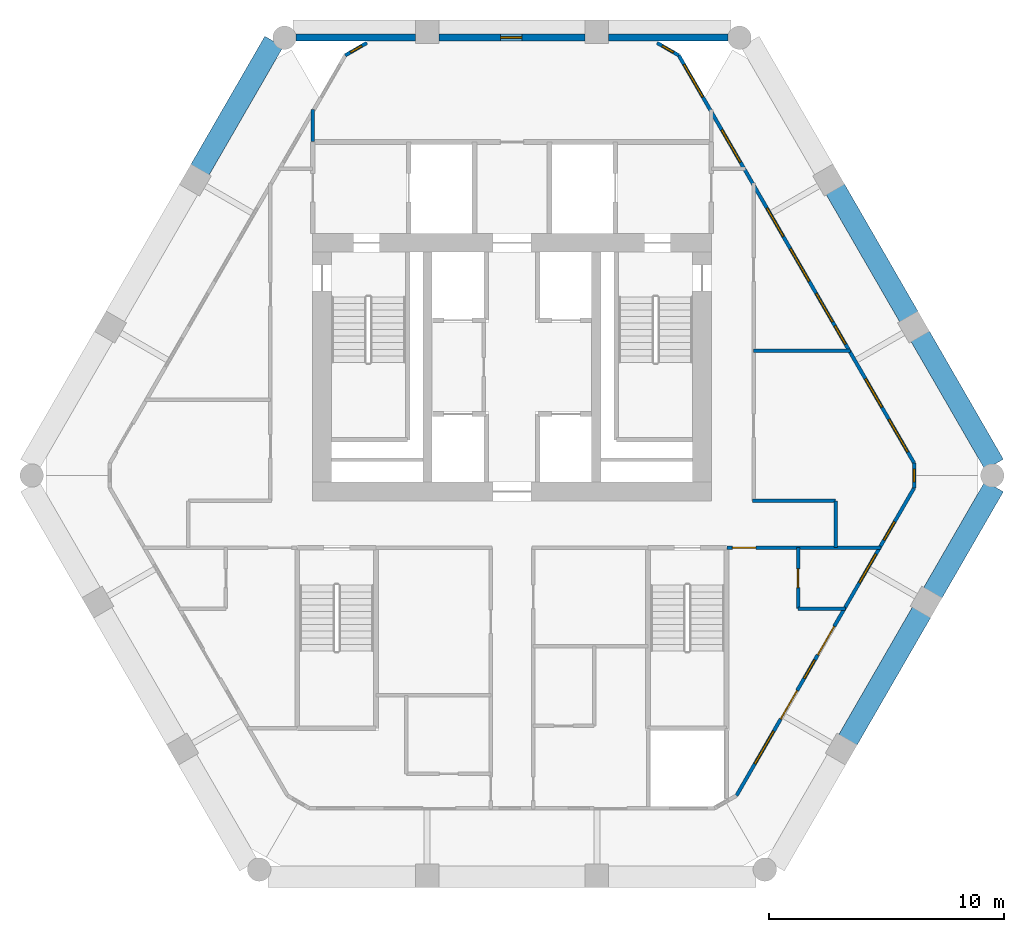
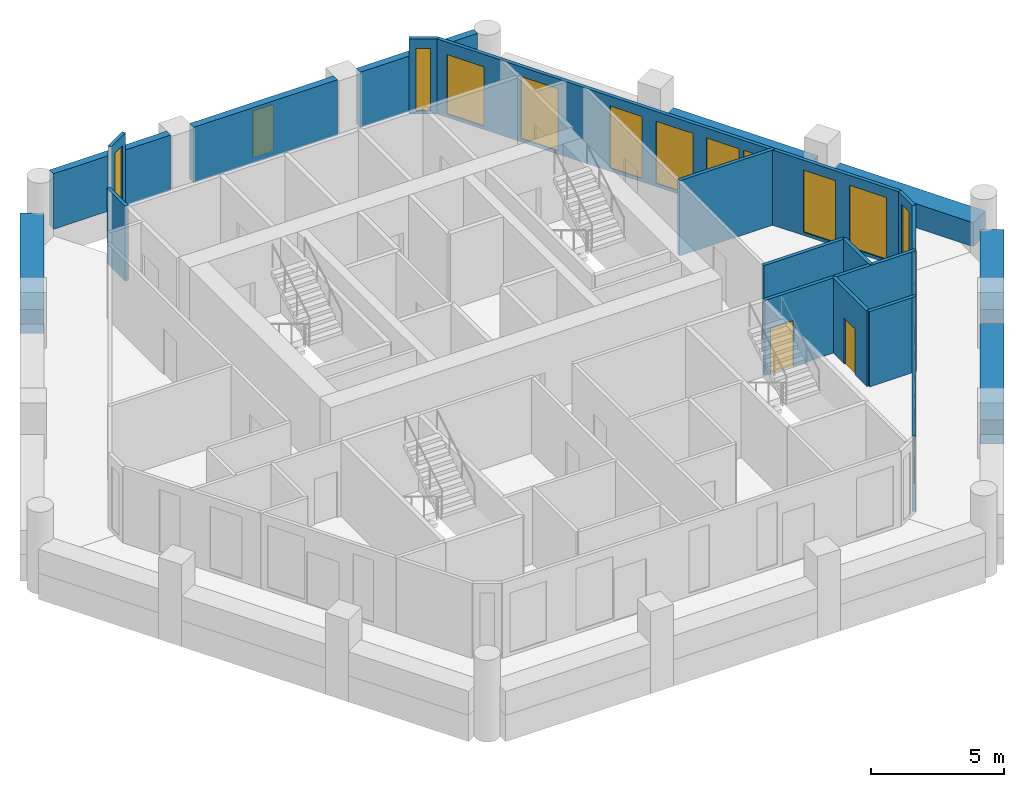
# One storey, part 5 of 7: 20 walls, 16 windows, 4 doors, 20 openings.
"""IFC4 building model written with IfcOpenShell, lengths in metres."""

import ifcopenshell
import ifcopenshell.guid

model = None  # the IFC model being written
_history = None  # IfcOwnerHistory: only IFC2X3 demands one
_inside = {}  # id of a spatial element -> (the spatial element, [elements in it])
_under = {}  # id of a project, library or spatial element -> (it, [spatial elements below it])
_declared = {}  # id of a project -> (the project, [libraries it declares])
_typed = {}  # id of a type object -> (the type object, [elements of that type])
_made_of = {}  # id of a material, layer set ... -> (it, [elements and type objects made of it])


def new_model(schema):
    """Start an empty IFC model of exactly this schema.

    Asked for "IFC4X3", IfcOpenShell would pick the latest addendum, in which some entities
    have other attributes; the version numbers below select the first issue.
    IFC2X3 requires an IfcOwnerHistory on every rooted entity: one is made here for all.
    """
    global model, _history
    if schema == "IFC4X3":
        model = ifcopenshell.file(schema_version=(4, 3, 0, 0))
    else:
        model = ifcopenshell.file(schema=schema)
    _inside.clear()
    _under.clear()
    _declared.clear()
    _typed.clear()
    _made_of.clear()
    _history = None
    if model.schema == "IFC2X3":
        org = make("IfcOrganization", Name="unknown")
        user = make(
            "IfcPersonAndOrganization",
            ThePerson=make("IfcPerson", FamilyName="unknown"),
            TheOrganization=org,
        )
        app = make(
            "IfcApplication",
            ApplicationDeveloper=org,
            Version="unknown",
            ApplicationFullName="unknown",
            ApplicationIdentifier="unknown",
        )
        _history = make(
            "IfcOwnerHistory",
            OwningUser=user,
            OwningApplication=app,
            ChangeAction="ADDED",
            CreationDate=0,
        )
    return model


def make(cls, **values):
    """One entity of the class cls with the attributes given. An attribute that is None is left unset."""
    return model.create_entity(
        cls, **{name: value for name, value in values.items() if value is not None}
    )


def rooted(cls, **values):
    """An entity with a GlobalId (a new one), such as an element, a storey or a relation."""
    return make(cls, GlobalId=ifcopenshell.guid.new(), OwnerHistory=_history, **values)


def si_unit(unit_type, name, prefix=None):
    """IfcSIUnit, for example si_unit("LENGTHUNIT", "METRE", prefix="MILLI")."""
    return make("IfcSIUnit", UnitType=unit_type, Prefix=prefix, Name=name)


def assignment(units):
    """IfcUnitAssignment: the units of a project."""
    return None if units is None else make("IfcUnitAssignment", Units=units)


def point(xyz):
    """IfcCartesianPoint."""
    return None if xyz is None else make("IfcCartesianPoint", Coordinates=xyz)


def direction(xyz):
    """IfcDirection."""
    return None if xyz is None else make("IfcDirection", DirectionRatios=xyz)


def frame(location, z_axis=None, x_axis=None):
    """IfcAxis2Placement3D, a coordinate frame: its origin and axes. An axis left out is left unset."""
    return make(
        "IfcAxis2Placement3D",
        Location=point(location),
        Axis=direction(z_axis),
        RefDirection=direction(x_axis),
    )


def frame_2d(location, x_axis=None):
    """IfcAxis2Placement2D, a coordinate frame in the plane: its origin and x axis."""
    return make(
        "IfcAxis2Placement2D", Location=point(location), RefDirection=direction(x_axis)
    )


def origin():
    """The frame at (0, 0, 0) with its axes left unset."""
    return frame((0.0, 0.0, 0.0))


def place(relative_to, where):
    """IfcLocalPlacement: puts the frame where relative to a parent placement (None: the world)."""
    return make(
        "IfcLocalPlacement", PlacementRelTo=relative_to, RelativePlacement=where
    )


def context(
    kind, dimensions, precision=None, world=None, true_north=None, identifier=None
):
    """IfcGeometricRepresentationContext, for example the 3D "Model" context."""
    return make(
        "IfcGeometricRepresentationContext",
        ContextIdentifier=identifier,
        ContextType=kind,
        CoordinateSpaceDimension=dimensions,
        Precision=precision,
        WorldCoordinateSystem=world,
        TrueNorth=true_north,
    )


def subcontext(parent, identifier, kind, view, scale=None):
    """IfcGeometricRepresentationSubContext, for example "Body" below "Model"."""
    return make(
        "IfcGeometricRepresentationSubContext",
        ContextIdentifier=identifier,
        ContextType=kind,
        ParentContext=parent,
        TargetScale=scale,
        TargetView=view,
    )


def project(units=None, contexts=None):
    """IfcProject with its units and contexts."""
    return rooted(
        "IfcProject",
        Name="project",
        RepresentationContexts=contexts,
        UnitsInContext=assignment(units),
    )


def spatial(cls, under=None, at=None, **own):
    """A site, building, storey or space (cls), placed at a placement, below another one or the project."""
    s = rooted(cls, ObjectPlacement=at, **own)
    if under is not None:
        _under.setdefault(under.id(), (under, []))[1].append(s)
    return s


def profile(cls, at=None, kind="AREA", **sizes):
    """A parametric profile (cls). Its sizes go by their IFC names, for example OverallWidth=200.0."""
    return make(cls, ProfileType=kind, Position=at, **sizes)


def rectangle(**sizes):
    """IfcRectangleProfileDef."""
    return profile("IfcRectangleProfileDef", **sizes)


def extrude(swept, where, along, depth):
    """IfcExtrudedAreaSolid: the profile swept, set in the frame where, extruded along a direction by depth."""
    return make(
        "IfcExtrudedAreaSolid",
        SweptArea=swept,
        Position=where,
        ExtrudedDirection=direction(along),
        Depth=depth,
    )


def shape(context_of_items, identifier, shape_type, items):
    """IfcShapeRepresentation: the items that make up one representation, for example the "Body"."""
    return make(
        "IfcShapeRepresentation",
        ContextOfItems=context_of_items,
        RepresentationIdentifier=identifier,
        RepresentationType=shape_type,
        Items=items,
    )


def material(Name=None, Category=None):
    """IfcMaterial."""
    return make("IfcMaterial", Name=Name, Category=Category)


def layer(
    of_material, thickness, ventilated=None, Name=None, Category=None, Priority=None
):
    """IfcMaterialLayer: one layer of a wall or slab, of a material (None: an air gap)."""
    return make(
        "IfcMaterialLayer",
        Material=of_material,
        LayerThickness=thickness,
        IsVentilated=ventilated,
        Name=Name,
        Category=Category,
        Priority=Priority,
    )


def layer_set(layers, Name=None):
    """IfcMaterialLayerSet."""
    return make("IfcMaterialLayerSet", MaterialLayers=layers, LayerSetName=Name)


def made_of(thing, what):
    """Note that an element or type object is made of a material, layer set ...; save() writes the relation."""
    if what is not None:
        _made_of.setdefault(what.id(), (what, []))[1].append(thing)
    return thing


def type_object(cls, material=None, **own):
    """A type object (cls), such as IfcWallType, which elements share."""
    return made_of(rooted(cls, **own), material)


def element(
    cls,
    number,
    at=None,
    inside=None,
    cuts=None,
    type_object=None,
    material=None,
    context=None,
    identifier="Body",
    shape_type=None,
    held_by="IfcProductDefinitionShape",
    body=None,
    shapes=None,
    **own,
):
    """One element of the class cls, such as IfcWall. Its Tag is "e" and its number.

    at: its placement. inside: the storey or other place that contains it. cuts: it is an
    opening in that element (IfcRelVoidsElement). A single representation is given by context,
    identifier, shape_type and body (its items); several are given by shapes. held_by: the class
    of the entity that holds the representations. save() writes the other relations.
    """
    e = rooted(cls, Tag="e%d" % number, ObjectPlacement=at, **own)
    if body is not None:
        shapes = [shape(context, identifier, shape_type, body)]
    if shapes is not None:
        e.Representation = make(held_by, Representations=shapes)
    if inside is not None:
        _inside.setdefault(inside.id(), (inside, []))[1].append(e)
    if cuts is not None:
        rooted(
            "IfcRelVoidsElement", RelatingBuildingElement=cuts, RelatedOpeningElement=e
        )
    if type_object is not None:
        _typed.setdefault(type_object.id(), (type_object, []))[1].append(e)
    return made_of(e, material)


def fill(opening, filler):
    """IfcRelFillsElement: the door or window that sits in an opening."""
    return rooted(
        "IfcRelFillsElement",
        RelatingOpeningElement=opening,
        RelatedBuildingElement=filler,
    )


def aggregate(whole, parts):
    """IfcRelAggregates: a whole, such as a stair, and the parts it consists of."""
    return rooted("IfcRelAggregates", RelatingObject=whole, RelatedObjects=parts)


def save(model, path):
    """Write the relations noted so far, then the file.

    IfcRelAggregates (storeys below a building ...), IfcRelContainedInSpatialStructure (elements
    in a storey), IfcRelDefinesByType, IfcRelAssociatesMaterial and IfcRelDeclares: one each for
    every whole, place, type object, material and project.
    """
    for whole, parts in _under.values():
        aggregate(whole, parts)
    for where, things in _inside.values():
        rooted(
            "IfcRelContainedInSpatialStructure",
            RelatedElements=things,
            RelatingStructure=where,
        )
    for kind, things in _typed.values():
        rooted("IfcRelDefinesByType", RelatedObjects=things, RelatingType=kind)
    for what, things in _made_of.values():
        rooted("IfcRelAssociatesMaterial", RelatedObjects=things, RelatingMaterial=what)
    for by, libraries in _declared.values():
        rooted("IfcRelDeclares", RelatingContext=by, RelatedDefinitions=libraries)
    model.write(path)


model = new_model("IFC4")

# Units and contexts
model_context = context("Model", 3, precision=1e-05, world=origin(), true_north=direction((0.0, 1.0)))
body_context = subcontext(model_context, "Body", "Model", "MODEL_VIEW")
ifc_project = project(units=[si_unit("LENGTHUNIT", "METRE"), si_unit("AREAUNIT", "SQUARE_METRE"), si_unit("VOLUMEUNIT", "CUBIC_METRE"), si_unit("PLANEANGLEUNIT", "RADIAN"), si_unit("MASSUNIT", "GRAM", prefix="KILO")], contexts=[model_context])

# Site, building, storey
site_placement = place(None, origin())
site = spatial("IfcSite", under=ifc_project, at=site_placement, CompositionType="ELEMENT")
building_placement = place(site_placement, origin())
building = spatial("IfcBuilding", under=site, at=building_placement, Name="Ostrander Bayou Hotel Tower", CompositionType="ELEMENT")
storey_placement = place(building_placement, frame((0.0, 0.0, 179.5)))
storey = spatial("IfcBuildingStorey", under=building, at=storey_placement, Name="L44", CompositionType="ELEMENT", Elevation=179.5)

# Wall, openings, doors, windows
ifc_material_1 = material(Name="Aluminium framed insulated wall", Category="aluminium")
ifc_layer_1 = layer(ifc_material_1, 0.14990234375)
ifc_layer_set_1 = layer_set([ifc_layer_1], Name="GW1 glass-line wall 150 mm")
wall_type_1 = type_object("IfcWallType", Name="GW1 glass-line wall 150 mm", PredefinedType="SOLIDWALL", material=ifc_layer_set_1)
wall_1_placement = place(storey_placement, frame((9.572021484375, -14.2705078125, 0.0), z_axis=(0.0, 0.0, 1.0), x_axis=(0.500005248668, 0.866022373443, 0.0)))
wall_1 = element("IfcWall", 1, at=wall_1_placement, inside=storey, type_object=wall_type_1, Name="GW1 L44 SE 1", PredefinedType="SOLIDWALL", context=body_context, shape_type="SweptSolid", body=[
    extrude(rectangle(XDim=15.145263671875, YDim=0.14990234375, at=frame_2d((7.57275390625, 0.0))), origin(), (0.0, 0.0, 1.0), 3.449951171875),
])
opening_1_placement = place(wall_1_placement, frame((1.57275390625, 0.0, 0.14990234375)))
opening_1 = element("IfcOpeningElement", 2, at=opening_1_placement, cuts=wall_1, Name="Opening W3", PredefinedType="OPENING", context=body_context, shape_type="SweptSolid", body=[
    extrude(rectangle(XDim=1.60009765625, YDim=2.85009765625, at=frame_2d((0.800048828125, 1.425048828125))), frame((0.0, 0.074951171875, 0.0), z_axis=(0.0, -1.0, 0.0), x_axis=(1.0, 0.0, 0.0)), (0.0, 0.0, 1.0), 0.14990234375),
])
opening_2_placement = place(wall_1_placement, frame((3.772705078125, 0.0, 0.0)))
opening_2 = element("IfcOpeningElement", 3, at=opening_2_placement, cuts=wall_1, Name="Opening T44-804", PredefinedType="OPENING", context=body_context, shape_type="SweptSolid", body=[
    extrude(rectangle(XDim=1.39990234375, YDim=2.39990234375, at=frame_2d((0.699951171875, 1.199951171875))), frame((0.0, 0.074951171875, 0.0), z_axis=(0.0, -1.0, 0.0), x_axis=(1.0, 0.0, 0.0)), (0.0, 0.0, 1.0), 0.14990234375),
])
opening_3_placement = place(wall_1_placement, frame((5.772705078125, 0.0, 0.14990234375)))
opening_3 = element("IfcOpeningElement", 4, at=opening_3_placement, cuts=wall_1, Name="Opening W17", PredefinedType="OPENING", context=body_context, shape_type="SweptSolid", body=[
    extrude(rectangle(XDim=0.89990234375, YDim=2.85009765625, at=frame_2d((0.449951171875, 1.425048828125))), frame((0.0, 0.074951171875, 0.0), z_axis=(0.0, -1.0, 0.0), x_axis=(1.0, 0.0, 0.0)), (0.0, 0.0, 1.0), 0.14990234375),
])
opening_4_placement = place(wall_1_placement, frame((6.9296875, 0.0, 0.0)))
opening_4 = element("IfcOpeningElement", 5, at=opening_4_placement, cuts=wall_1, Name="Opening T44-805", PredefinedType="OPENING", context=body_context, shape_type="SweptSolid", body=[
    extrude(rectangle(XDim=1.39990234375, YDim=2.39990234375, at=frame_2d((0.699951171875, 1.199951171875))), frame((0.0, 0.074951171875, 0.0), z_axis=(0.0, -1.0, 0.0), x_axis=(1.0, 0.0, 0.0)), (0.0, 0.0, 1.0), 0.14990234375),
])
opening_5_placement = place(wall_1_placement, frame((12.581787109375, 0.0, 0.14990234375)))
opening_5 = element("IfcOpeningElement", 6, at=opening_5_placement, cuts=wall_1, Name="Opening W17", PredefinedType="OPENING", context=body_context, shape_type="SweptSolid", body=[
    extrude(rectangle(XDim=0.89990234375, YDim=2.85009765625, at=frame_2d((0.449951171875, 1.425048828125))), frame((0.0, 0.074951171875, 0.0), z_axis=(0.0, -1.0, 0.0), x_axis=(1.0, 0.0, 0.0)), (0.0, 0.0, 1.0), 0.14990234375),
])
opening_6_placement = place(wall_1_placement, frame((10.48193359375, 0.0, 0.14990234375)))
opening_6 = element("IfcOpeningElement", 7, at=opening_6_placement, cuts=wall_1, Name="Opening W13", PredefinedType="OPENING", context=body_context, shape_type="SweptSolid", body=[
    extrude(rectangle(XDim=1.39990234375, YDim=2.85009765625, at=frame_2d((0.699951171875, 1.425048828125))), frame((0.0, 0.074951171875, 0.0), z_axis=(0.0, -1.0, 0.0), x_axis=(1.0, 0.0, 0.0)), (0.0, 0.0, 1.0), 0.14990234375),
])
ifc_material_2 = material(Name="Aluminium and clear glass", Category="aluminium")
door_type_1 = type_object("IfcDoorType", Name="SD3 sliding glass door 1400 mm, zone 3", OperationType="SLIDING_TO_LEFT", PredefinedType="DOOR", material=ifc_material_2)
door_1_placement = place(opening_2_placement, origin())
door_1 = element("IfcDoor", 8, at=door_1_placement, inside=storey, type_object=door_type_1, Name="SD3 L44 SE 1", OperationType="SLIDING_TO_LEFT", OverallHeight=2.39990234375, OverallWidth=1.39990234375, PredefinedType="DOOR", context=body_context, shape_type="SweptSolid", body=[
    extrude(rectangle(XDim=1.39990234375, YDim=2.39990234375, at=frame_2d((0.699951171875, 1.199951171875))), frame((0.0, 0.02490234375, 0.0), z_axis=(0.0, -1.0, 0.0), x_axis=(1.0, 0.0, 0.0)), (0.0, 0.0, 1.0), 0.050048828125),
])
fill(opening_2, door_1)
door_2_placement = place(opening_4_placement, origin())
door_2 = element("IfcDoor", 9, at=door_2_placement, inside=storey, type_object=door_type_1, Name="SD3 L44 SE 2", OperationType="SLIDING_TO_RIGHT", OverallHeight=2.39990234375, OverallWidth=1.39990234375, PredefinedType="DOOR", context=body_context, shape_type="SweptSolid", body=[
    extrude(rectangle(XDim=1.39990234375, YDim=2.39990234375, at=frame_2d((0.699951171875, 1.199951171875))), frame((0.0, 0.02490234375, 0.0), z_axis=(0.0, -1.0, 0.0), x_axis=(1.0, 0.0, 0.0)), (0.0, 0.0, 1.0), 0.050048828125),
])
fill(opening_4, door_2)
ifc_material_3 = material(Name="Aluminium and clear glass", Category="aluminium")
window_type_1 = type_object("IfcWindowType", Name="W13 fixed window 1400 mm, bath bay, zone 3", PartitioningType="SINGLE_PANEL", PredefinedType="WINDOW", material=ifc_material_3)
window_1_placement = place(opening_6_placement, origin())
window_1 = element("IfcWindow", 10, at=window_1_placement, inside=storey, type_object=window_type_1, Name="W13 L44 SE 3", OverallHeight=2.85009765625, OverallWidth=1.39990234375, PartitioningType="SINGLE_PANEL", PredefinedType="WINDOW", context=body_context, shape_type="SweptSolid", body=[
    extrude(rectangle(XDim=1.39990234375, YDim=2.85009765625, at=frame_2d((0.699951171875, 1.425048828125))), frame((0.0, 0.030029296875, 0.0), z_axis=(0.0, -1.0, 0.0), x_axis=(1.0, 0.0, 0.0)), (0.0, 0.0, 1.0), 0.06005859375),
])
fill(opening_6, window_1)
ifc_material_4 = material(Name="Aluminium and clear glass", Category="aluminium")
window_type_2 = type_object("IfcWindowType", Name="W17 window 900 mm, zone 3", PartitioningType="SINGLE_PANEL", PredefinedType="WINDOW", material=ifc_material_4)
window_2_placement = place(opening_3_placement, origin())
window_2 = element("IfcWindow", 11, at=window_2_placement, inside=storey, type_object=window_type_2, Name="W17 L44 SE 2", OverallHeight=2.85009765625, OverallWidth=0.89990234375, PartitioningType="SINGLE_PANEL", PredefinedType="WINDOW", context=body_context, shape_type="SweptSolid", body=[
    extrude(rectangle(XDim=0.89990234375, YDim=2.85009765625, at=frame_2d((0.449951171875, 1.425048828125))), frame((0.0, 0.030029296875, 0.0), z_axis=(0.0, -1.0, 0.0), x_axis=(1.0, 0.0, 0.0)), (0.0, 0.0, 1.0), 0.06005859375),
])
fill(opening_3, window_2)
window_3_placement = place(opening_5_placement, origin())
window_3 = element("IfcWindow", 12, at=window_3_placement, inside=storey, type_object=window_type_2, Name="W17 L44 SE 3", OverallHeight=2.85009765625, OverallWidth=0.89990234375, PartitioningType="SINGLE_PANEL", PredefinedType="WINDOW", context=body_context, shape_type="SweptSolid", body=[
    extrude(rectangle(XDim=0.89990234375, YDim=2.85009765625, at=frame_2d((0.449951171875, 1.425048828125))), frame((0.0, 0.030029296875, 0.0), z_axis=(0.0, -1.0, 0.0), x_axis=(1.0, 0.0, 0.0)), (0.0, 0.0, 1.0), 0.06005859375),
])
fill(opening_5, window_3)
ifc_material_5 = material(Name="Aluminium and clear glass", Category="aluminium")
window_type_3 = type_object("IfcWindowType", Name="W3 fixed window 1600 mm, zone 3", PartitioningType="SINGLE_PANEL", PredefinedType="WINDOW", material=ifc_material_5)
window_4_placement = place(opening_1_placement, origin())
window_4 = element("IfcWindow", 13, at=window_4_placement, inside=storey, type_object=window_type_3, Name="W3 L44 SE 1", OverallHeight=2.85009765625, OverallWidth=1.60009765625, PartitioningType="SINGLE_PANEL", PredefinedType="WINDOW", context=body_context, shape_type="SweptSolid", body=[
    extrude(rectangle(XDim=1.60009765625, YDim=2.85009765625, at=frame_2d((0.800048828125, 1.425048828125))), frame((0.0, 0.030029296875, 0.0), z_axis=(0.0, -1.0, 0.0), x_axis=(1.0, 0.0, 0.0)), (0.0, 0.0, 1.0), 0.06005859375),
])
fill(opening_1, window_4)

# Wall, openings, windows
wall_2_placement = place(storey_placement, frame((17.144775390625, -0.08935546875, 0.0), z_axis=(0.0, 0.0, 1.0), x_axis=(-0.499999728453, 0.866025560562, 0.0)))
wall_2 = element("IfcWall", 14, at=wall_2_placement, inside=storey, type_object=wall_type_1, Name="GW1 L44 NE 1", PredefinedType="SOLIDWALL", context=body_context, shape_type="SweptSolid", body=[
    extrude(rectangle(XDim=20.07080078125, YDim=0.14990234375, at=frame_2d((10.035400390625, 0.0))), origin(), (0.0, 0.0, 1.0), 3.449951171875),
])
opening_7_placement = place(wall_2_placement, frame((0.5498046875, 0.0, 0.14990234375)))
opening_7 = element("IfcOpeningElement", 15, at=opening_7_placement, cuts=wall_2, Name="Opening W3", PredefinedType="OPENING", context=body_context, shape_type="SweptSolid", body=[
    extrude(rectangle(XDim=1.60009765625, YDim=2.85009765625, at=frame_2d((0.800048828125, 1.425048828125))), frame((0.0, 0.074951171875, 0.0), z_axis=(0.0, -1.0, 0.0), x_axis=(1.0, 0.0, 0.0)), (0.0, 0.0, 1.0), 0.14990234375),
])
opening_8_placement = place(wall_2_placement, frame((2.749755859375, 0.0, 0.14990234375)))
opening_8 = element("IfcOpeningElement", 16, at=opening_8_placement, cuts=wall_2, Name="Opening W13", PredefinedType="OPENING", context=body_context, shape_type="SweptSolid", body=[
    extrude(rectangle(XDim=1.39990234375, YDim=2.85009765625, at=frame_2d((0.699951171875, 1.425048828125))), frame((0.0, 0.074951171875, 0.0), z_axis=(0.0, -1.0, 0.0), x_axis=(1.0, 0.0, 0.0)), (0.0, 0.0, 1.0), 0.14990234375),
])
opening_9_placement = place(wall_2_placement, frame((5.85400390625, 0.0, 0.14990234375)))
opening_9 = element("IfcOpeningElement", 17, at=opening_9_placement, cuts=wall_2, Name="Opening W17", PredefinedType="OPENING", context=body_context, shape_type="SweptSolid", body=[
    extrude(rectangle(XDim=0.89990234375, YDim=2.85009765625, at=frame_2d((0.449951171875, 1.425048828125))), frame((0.0, 0.074951171875, 0.0), z_axis=(0.0, -1.0, 0.0), x_axis=(1.0, 0.0, 0.0)), (0.0, 0.0, 1.0), 0.14990234375),
])
opening_10_placement = place(wall_2_placement, frame((6.94970703125, 0.0, 0.14990234375)))
opening_10 = element("IfcOpeningElement", 18, at=opening_10_placement, cuts=wall_2, Name="Opening W13", PredefinedType="OPENING", context=body_context, shape_type="SweptSolid", body=[
    extrude(rectangle(XDim=1.39990234375, YDim=2.85009765625, at=frame_2d((0.699951171875, 1.425048828125))), frame((0.0, 0.074951171875, 0.0), z_axis=(0.0, -1.0, 0.0), x_axis=(1.0, 0.0, 0.0)), (0.0, 0.0, 1.0), 0.14990234375),
])
opening_11_placement = place(wall_2_placement, frame((8.94970703125, 0.0, 0.14990234375)))
opening_11 = element("IfcOpeningElement", 19, at=opening_11_placement, cuts=wall_2, Name="Opening W3", PredefinedType="OPENING", context=body_context, shape_type="SweptSolid", body=[
    extrude(rectangle(XDim=1.60009765625, YDim=2.85009765625, at=frame_2d((0.800048828125, 1.425048828125))), frame((0.0, 0.074951171875, 0.0), z_axis=(0.0, -1.0, 0.0), x_axis=(1.0, 0.0, 0.0)), (0.0, 0.0, 1.0), 0.14990234375),
])
opening_12_placement = place(wall_2_placement, frame((11.14990234375, 0.0, 0.14990234375)))
opening_12 = element("IfcOpeningElement", 20, at=opening_12_placement, cuts=wall_2, Name="Opening W13", PredefinedType="OPENING", context=body_context, shape_type="SweptSolid", body=[
    extrude(rectangle(XDim=1.39990234375, YDim=2.85009765625, at=frame_2d((0.699951171875, 1.425048828125))), frame((0.0, 0.074951171875, 0.0), z_axis=(0.0, -1.0, 0.0), x_axis=(1.0, 0.0, 0.0)), (0.0, 0.0, 1.0), 0.14990234375),
])
opening_13_placement = place(wall_2_placement, frame((14.80322265625, 0.0, 0.14990234375)))
opening_13 = element("IfcOpeningElement", 21, at=opening_13_placement, cuts=wall_2, Name="Opening W3", PredefinedType="OPENING", context=body_context, shape_type="SweptSolid", body=[
    extrude(rectangle(XDim=1.60009765625, YDim=2.85009765625, at=frame_2d((0.800048828125, 1.425048828125))), frame((0.0, 0.074951171875, 0.0), z_axis=(0.0, -1.0, 0.0), x_axis=(1.0, 0.0, 0.0)), (0.0, 0.0, 1.0), 0.14990234375),
])
opening_14_placement = place(wall_2_placement, frame((18.019287109375, 0.0, 0.14990234375)))
opening_14 = element("IfcOpeningElement", 22, at=opening_14_placement, cuts=wall_2, Name="Opening W3", PredefinedType="OPENING", context=body_context, shape_type="SweptSolid", body=[
    extrude(rectangle(XDim=1.60009765625, YDim=2.72998046875, at=frame_2d((0.800048828125, 1.364990234375))), frame((0.0, 0.074951171875, 0.0), z_axis=(0.0, -1.0, 0.0), x_axis=(1.0, 0.0, 0.0)), (0.0, 0.0, 1.0), 0.14990234375),
])
window_5_placement = place(opening_8_placement, origin())
window_5 = element("IfcWindow", 23, at=window_5_placement, inside=storey, type_object=window_type_1, Name="W13 L44 NE 1", OverallHeight=2.85009765625, OverallWidth=1.39990234375, PartitioningType="SINGLE_PANEL", PredefinedType="WINDOW", context=body_context, shape_type="SweptSolid", body=[
    extrude(rectangle(XDim=1.39990234375, YDim=2.85009765625, at=frame_2d((0.699951171875, 1.425048828125))), frame((0.0, 0.030029296875, 0.0), z_axis=(0.0, -1.0, 0.0), x_axis=(1.0, 0.0, 0.0)), (0.0, 0.0, 1.0), 0.06005859375),
])
fill(opening_8, window_5)
window_6_placement = place(opening_10_placement, origin())
window_6 = element("IfcWindow", 24, at=window_6_placement, inside=storey, type_object=window_type_1, Name="W13 L44 NE 2", OverallHeight=2.85009765625, OverallWidth=1.39990234375, PartitioningType="SINGLE_PANEL", PredefinedType="WINDOW", context=body_context, shape_type="SweptSolid", body=[
    extrude(rectangle(XDim=1.39990234375, YDim=2.85009765625, at=frame_2d((0.699951171875, 1.425048828125))), frame((0.0, 0.030029296875, 0.0), z_axis=(0.0, -1.0, 0.0), x_axis=(1.0, 0.0, 0.0)), (0.0, 0.0, 1.0), 0.06005859375),
])
fill(opening_10, window_6)
window_7_placement = place(opening_12_placement, origin())
window_7 = element("IfcWindow", 25, at=window_7_placement, inside=storey, type_object=window_type_1, Name="W13 L44 NE 3", OverallHeight=2.85009765625, OverallWidth=1.39990234375, PartitioningType="SINGLE_PANEL", PredefinedType="WINDOW", context=body_context, shape_type="SweptSolid", body=[
    extrude(rectangle(XDim=1.39990234375, YDim=2.85009765625, at=frame_2d((0.699951171875, 1.425048828125))), frame((0.0, 0.030029296875, 0.0), z_axis=(0.0, -1.0, 0.0), x_axis=(1.0, 0.0, 0.0)), (0.0, 0.0, 1.0), 0.06005859375),
])
fill(opening_12, window_7)
window_8_placement = place(opening_9_placement, origin())
window_8 = element("IfcWindow", 26, at=window_8_placement, inside=storey, type_object=window_type_2, Name="W17 L44 NE 2", OverallHeight=2.85009765625, OverallWidth=0.89990234375, PartitioningType="SINGLE_PANEL", PredefinedType="WINDOW", context=body_context, shape_type="SweptSolid", body=[
    extrude(rectangle(XDim=0.89990234375, YDim=2.85009765625, at=frame_2d((0.449951171875, 1.425048828125))), frame((0.0, 0.030029296875, 0.0), z_axis=(0.0, -1.0, 0.0), x_axis=(1.0, 0.0, 0.0)), (0.0, 0.0, 1.0), 0.06005859375),
])
fill(opening_9, window_8)
window_9_placement = place(opening_7_placement, origin())
window_9 = element("IfcWindow", 27, at=window_9_placement, inside=storey, type_object=window_type_3, Name="W3 L44 NE 1", OverallHeight=2.85009765625, OverallWidth=1.60009765625, PartitioningType="SINGLE_PANEL", PredefinedType="WINDOW", context=body_context, shape_type="SweptSolid", body=[
    extrude(rectangle(XDim=1.60009765625, YDim=2.85009765625, at=frame_2d((0.800048828125, 1.425048828125))), frame((0.0, 0.030029296875, 0.0), z_axis=(0.0, -1.0, 0.0), x_axis=(1.0, 0.0, 0.0)), (0.0, 0.0, 1.0), 0.06005859375),
])
fill(opening_7, window_9)
window_10_placement = place(opening_11_placement, origin())
window_10 = element("IfcWindow", 28, at=window_10_placement, inside=storey, type_object=window_type_3, Name="W3 L44 NE 3", OverallHeight=2.85009765625, OverallWidth=1.60009765625, PartitioningType="SINGLE_PANEL", PredefinedType="WINDOW", context=body_context, shape_type="SweptSolid", body=[
    extrude(rectangle(XDim=1.60009765625, YDim=2.85009765625, at=frame_2d((0.800048828125, 1.425048828125))), frame((0.0, 0.030029296875, 0.0), z_axis=(0.0, -1.0, 0.0), x_axis=(1.0, 0.0, 0.0)), (0.0, 0.0, 1.0), 0.06005859375),
])
fill(opening_11, window_10)
window_11_placement = place(opening_13_placement, origin())
window_11 = element("IfcWindow", 29, at=window_11_placement, inside=storey, type_object=window_type_3, Name="W3 L44 NE 4", OverallHeight=2.85009765625, OverallWidth=1.60009765625, PartitioningType="SINGLE_PANEL", PredefinedType="WINDOW", context=body_context, shape_type="SweptSolid", body=[
    extrude(rectangle(XDim=1.60009765625, YDim=2.85009765625, at=frame_2d((0.800048828125, 1.425048828125))), frame((0.0, 0.030029296875, 0.0), z_axis=(0.0, -1.0, 0.0), x_axis=(1.0, 0.0, 0.0)), (0.0, 0.0, 1.0), 0.06005859375),
])
fill(opening_13, window_11)
window_12_placement = place(opening_14_placement, origin())
window_12 = element("IfcWindow", 30, at=window_12_placement, inside=storey, type_object=window_type_3, Name="W3 L44 NE E21", OverallHeight=2.72998046875, OverallWidth=1.60009765625, PartitioningType="SINGLE_PANEL", PredefinedType="WINDOW", context=body_context, shape_type="SweptSolid", body=[
    extrude(rectangle(XDim=1.60009765625, YDim=2.72998046875, at=frame_2d((0.800048828125, 1.364990234375))), frame((0.0, 0.030029296875, 0.0), z_axis=(0.0, -1.0, 0.0), x_axis=(1.0, 0.0, 0.0)), (0.0, 0.0, 1.0), 0.06005859375),
])
fill(opening_14, window_12)

# Wall, opening, window
wall_3_placement = place(storey_placement, frame((-6.18701171875, 17.824951171875, 0.0), z_axis=(0.0, 0.0, 1.0), x_axis=(-0.866048165231, -0.499960573946, 0.0)))
wall_3 = element("IfcWall", 31, at=wall_3_placement, inside=storey, type_object=wall_type_1, Name="GW1 L44 corner 1", PredefinedType="SOLIDWALL", context=body_context, shape_type="SweptSolid", body=[
    extrude(rectangle(XDim=1.06494140625, YDim=0.14990234375, at=frame_2d((0.532470703125, 0.0))), origin(), (0.0, 0.0, 1.0), 3.449951171875),
])
opening_15_placement = place(wall_3_placement, frame((0.257568359375, 0.0, 0.14990234375)))
opening_15 = element("IfcOpeningElement", 32, at=opening_15_placement, cuts=wall_3, Name="Opening W19", PredefinedType="OPENING", context=body_context, shape_type="SweptSolid", body=[
    extrude(rectangle(XDim=0.550048828125, YDim=2.85009765625, at=frame_2d((0.27490234375, 1.425048828125))), frame((0.0, 0.074951171875, 0.0), z_axis=(0.0, -1.0, 0.0), x_axis=(1.0, 0.0, 0.0)), (0.0, 0.0, 1.0), 0.14990234375),
])
ifc_material_6 = material(Name="Aluminium and clear glass", Category="aluminium")
window_type_4 = type_object("IfcWindowType", Name="W19 corner window 550 mm", PartitioningType="SINGLE_PANEL", PredefinedType="WINDOW", material=ifc_material_6)
window_13_placement = place(opening_15_placement, origin())
window_13 = element("IfcWindow", 33, at=window_13_placement, inside=storey, type_object=window_type_4, Name="W19 L44 corner 1", OverallHeight=2.85009765625, OverallWidth=0.550048828125, PartitioningType="SINGLE_PANEL", PredefinedType="WINDOW", context=body_context, shape_type="SweptSolid", body=[
    extrude(rectangle(XDim=0.550048828125, YDim=2.85009765625, at=frame_2d((0.27490234375, 1.425048828125))), frame((0.0, 0.030029296875, 0.0), z_axis=(0.0, -1.0, 0.0), x_axis=(1.0, 0.0, 0.0)), (0.0, 0.0, 1.0), 0.06005859375),
])
fill(opening_15, window_13)

wall_4_placement = place(storey_placement, frame((17.144775390625, -1.154296875, 0.0), z_axis=(0.0, 0.0, 1.0), x_axis=(0.0, 1.0, 0.0)))
wall_4 = element("IfcWall", 34, at=wall_4_placement, inside=storey, type_object=wall_type_1, Name="GW1 L44 corner 5", PredefinedType="SOLIDWALL", context=body_context, shape_type="SweptSolid", body=[
    extrude(rectangle(XDim=1.06494140625, YDim=0.14990234375, at=frame_2d((0.532470703125, 0.0))), origin(), (0.0, 0.0, 1.0), 3.449951171875),
])
opening_16_placement = place(wall_4_placement, frame((0.257568359375, 0.0, 0.14990234375)))
opening_16 = element("IfcOpeningElement", 35, at=opening_16_placement, cuts=wall_4, Name="Opening W19", PredefinedType="OPENING", context=body_context, shape_type="SweptSolid", body=[
    extrude(rectangle(XDim=0.550048828125, YDim=2.85009765625, at=frame_2d((0.27490234375, 1.425048828125))), frame((0.0, 0.074951171875, 0.0), z_axis=(0.0, -1.0, 0.0), x_axis=(1.0, 0.0, 0.0)), (0.0, 0.0, 1.0), 0.14990234375),
])
window_14_placement = place(opening_16_placement, origin())
window_14 = element("IfcWindow", 36, at=window_14_placement, inside=storey, type_object=window_type_4, Name="W19 L44 corner 5", OverallHeight=2.85009765625, OverallWidth=0.550048828125, PartitioningType="SINGLE_PANEL", PredefinedType="WINDOW", context=body_context, shape_type="SweptSolid", body=[
    extrude(rectangle(XDim=0.550048828125, YDim=2.85009765625, at=frame_2d((0.27490234375, 1.425048828125))), frame((0.0, 0.030029296875, 0.0), z_axis=(0.0, -1.0, 0.0), x_axis=(1.0, 0.0, 0.0)), (0.0, 0.0, 1.0), 0.06005859375),
])
fill(opening_16, window_14)

wall_5_placement = place(storey_placement, frame((7.109375, 17.29248046875, 0.0), z_axis=(0.0, 0.0, 1.0), x_axis=(-0.866048165231, 0.499960573946, 0.0)))
wall_5 = element("IfcWall", 37, at=wall_5_placement, inside=storey, type_object=wall_type_1, Name="GW1 L44 corner 6", PredefinedType="SOLIDWALL", context=body_context, shape_type="SweptSolid", body=[
    extrude(rectangle(XDim=1.06494140625, YDim=0.14990234375, at=frame_2d((0.532470703125, 0.0))), origin(), (0.0, 0.0, 1.0), 3.449951171875),
])
opening_17_placement = place(wall_5_placement, frame((0.257568359375, 0.0, 0.14990234375)))
opening_17 = element("IfcOpeningElement", 38, at=opening_17_placement, cuts=wall_5, Name="Opening W19", PredefinedType="OPENING", context=body_context, shape_type="SweptSolid", body=[
    extrude(rectangle(XDim=0.550048828125, YDim=2.85009765625, at=frame_2d((0.27490234375, 1.425048828125))), frame((0.0, 0.074951171875, 0.0), z_axis=(0.0, -1.0, 0.0), x_axis=(1.0, 0.0, 0.0)), (0.0, 0.0, 1.0), 0.14990234375),
])
window_15_placement = place(opening_17_placement, origin())
window_15 = element("IfcWindow", 39, at=window_15_placement, inside=storey, type_object=window_type_4, Name="W19 L44 corner 6", OverallHeight=2.85009765625, OverallWidth=0.550048828125, PartitioningType="SINGLE_PANEL", PredefinedType="WINDOW", context=body_context, shape_type="SweptSolid", body=[
    extrude(rectangle(XDim=0.550048828125, YDim=2.85009765625, at=frame_2d((0.27490234375, 1.425048828125))), frame((0.0, 0.030029296875, 0.0), z_axis=(0.0, -1.0, 0.0), x_axis=(1.0, 0.0, 0.0)), (0.0, 0.0, 1.0), 0.06005859375),
])
fill(opening_17, window_15)

# Wall
ifc_material_7 = material(Name="Reconstituted stone on masonry backing", Category="masonry")
ifc_layer_2 = layer(ifc_material_7, 0.300048828125)
ifc_layer_set_2 = layer_set([ifc_layer_2], Name="NW1 north stone wall 300 mm")
wall_type_2 = type_object("IfcWallType", Name="NW1 north stone wall 300 mm", PredefinedType="SOLIDWALL", material=ifc_layer_set_2)
wall_6_placement = place(storey_placement, frame((9.200927734375, 18.050048828125, 0.0), z_axis=(0.0, 0.0, 1.0), x_axis=(-1.0, 0.0, 0.0)))
element("IfcWall", 40, at=wall_6_placement, inside=storey, type_object=wall_type_2, Name="NW1 L44 N-1", PredefinedType="SOLIDWALL", context=body_context, shape_type="SweptSolid", body=[
    extrude(rectangle(XDim=5.082763671875, YDim=0.300048828125, at=frame_2d((2.54150390625, 0.0))), origin(), (0.0, 0.0, 1.0), 2.550048828125),
])

# Wall, opening, window
wall_7_placement = place(storey_placement, frame((3.1181640625, 18.050048828125, 0.0), z_axis=(0.0, 0.0, 1.0), x_axis=(-1.0, 0.0, 0.0)))
wall_7 = element("IfcWall", 41, at=wall_7_placement, inside=storey, type_object=wall_type_2, Name="NW1 L44 N-2", PredefinedType="SOLIDWALL", context=body_context, shape_type="SweptSolid", body=[
    extrude(rectangle(XDim=6.236328125, YDim=0.300048828125, at=frame_2d((3.1181640625, 0.0))), origin(), (0.0, 0.0, 1.0), 2.550048828125),
])
opening_18_placement = place(wall_7_placement, frame((2.699951171875, 0.0, 0.14990234375)))
opening_18 = element("IfcOpeningElement", 42, at=opening_18_placement, cuts=wall_7, Name="Opening W17", PredefinedType="OPENING", context=body_context, shape_type="SweptSolid", body=[
    extrude(rectangle(XDim=0.89990234375, YDim=2.14990234375, at=frame_2d((0.449951171875, 1.074951171875))), frame((0.0, 0.14990234375, 0.0), z_axis=(0.0, -1.0, 0.0), x_axis=(1.0, 0.0, 0.0)), (0.0, 0.0, 1.0), 0.300048828125),
])
window_16_placement = place(opening_18_placement, origin())
window_16 = element("IfcWindow", 43, at=window_16_placement, inside=storey, type_object=window_type_2, Name="W17 L44 north N-2", OverallHeight=2.14990234375, OverallWidth=0.89990234375, PartitioningType="SINGLE_PANEL", PredefinedType="WINDOW", context=body_context, shape_type="SweptSolid", body=[
    extrude(rectangle(XDim=0.89990234375, YDim=2.14990234375, at=frame_2d((0.449951171875, 1.074951171875))), frame((0.0, 0.030029296875, 0.0), z_axis=(0.0, -1.0, 0.0), x_axis=(1.0, 0.0, 0.0)), (0.0, 0.0, 1.0), 0.06005859375),
])
fill(opening_18, window_16)

# Walls
wall_8_placement = place(storey_placement, frame((-4.1181640625, 18.050048828125, 0.0), z_axis=(0.0, 0.0, 1.0), x_axis=(-1.0, 0.0, 0.0)))
element("IfcWall", 44, at=wall_8_placement, inside=storey, type_object=wall_type_2, Name="NW1 L44 N-3", PredefinedType="SOLIDWALL", context=body_context, shape_type="SweptSolid", body=[
    extrude(rectangle(XDim=5.082763671875, YDim=0.300048828125, at=frame_2d((2.54150390625, 0.0))), origin(), (0.0, 0.0, 1.0), 2.550048828125),
])
ifc_material_8 = material(Name="Concrete f'c 40 MPa", Category="concrete")
ifc_layer_3 = layer(ifc_material_8, 0.89990234375)
ifc_layer_set_3 = layer_set([ifc_layer_3], Name="PA1 stone-faced parapet 900 mm")
wall_type_3 = type_object("IfcWallType", Name="PA1 stone-faced parapet 900 mm", PredefinedType="PARAPET", material=ifc_layer_set_3)
wall_9_placement = place(storey_placement, frame((-10.1474609375, 17.88037109375, 0.0), z_axis=(0.0, 0.0, 1.0), x_axis=(-0.500000968981, -0.866024844342, 0.0)))
element("IfcWall", 45, at=wall_9_placement, inside=storey, type_object=wall_type_3, Name="PA1 L44 NW-1", PredefinedType="PARAPET", context=body_context, shape_type="SweptSolid", body=[
    extrude(rectangle(XDim=6.3232421875, YDim=0.89990234375, at=frame_2d((3.16162109375, 0.0))), origin(), (0.0, 0.0, 1.0), 1.10009765625),
])
wall_10_placement = place(storey_placement, frame((20.55859375, -0.152099609375, 0.0), z_axis=(0.0, 0.0, 1.0), x_axis=(-0.500017688138, 0.866015191293, 0.0)))
element("IfcWall", 46, at=wall_10_placement, inside=storey, type_object=wall_type_3, Name="PA1 L44 NE-1", PredefinedType="PARAPET", context=body_context, shape_type="SweptSolid", body=[
    extrude(rectangle(XDim=6.322998046875, YDim=0.89990234375, at=frame_2d((3.16162109375, 0.0))), origin(), (0.0, 0.0, 1.0), 1.10009765625),
])
wall_11_placement = place(storey_placement, frame((16.927001953125, 6.1376953125, 0.0), z_axis=(0.0, 0.0, 1.0), x_axis=(-0.499984268907, 0.866034485945, 0.0)))
element("IfcWall", 47, at=wall_11_placement, inside=storey, type_object=wall_type_3, Name="PA1 L44 NE-2", PredefinedType="PARAPET", context=body_context, shape_type="SweptSolid", body=[
    extrude(rectangle(XDim=6.296142578125, YDim=0.89990234375, at=frame_2d((3.14794921875, 0.0))), origin(), (0.0, 0.0, 1.0), 1.10009765625),
])
ifc_material_9 = material(Name="Limestone masonry", Category="masonry")
ifc_layer_4 = layer(ifc_material_9, 0.89990234375)
ifc_layer_set_4 = layer_set([ifc_layer_4], Name="PA2 limestone parapet 900 mm")
wall_type_4 = type_object("IfcWallType", Name="PA2 limestone parapet 900 mm", PredefinedType="PARAPET", material=ifc_layer_set_4)
wall_12_placement = place(storey_placement, frame((14.3173828125, -11.9013671875, 0.0), z_axis=(0.0, 0.0, 1.0), x_axis=(0.500013351051, 0.866017695414, 0.0)))
element("IfcWall", 48, at=wall_12_placement, inside=storey, type_object=wall_type_4, Name="PA2 L44 SE-2", PredefinedType="PARAPET", context=body_context, shape_type="SweptSolid", body=[
    extrude(rectangle(XDim=6.296142578125, YDim=0.89990234375, at=frame_2d((3.14794921875, 0.0))), origin(), (0.0, 0.0, 1.0), 1.10009765625),
])
wall_13_placement = place(storey_placement, frame((17.935546875, -5.634521484375, 0.0), z_axis=(0.0, 0.0, 1.0), x_axis=(0.500023253097, 0.866011978186, 0.0)))
element("IfcWall", 49, at=wall_13_placement, inside=storey, type_object=wall_type_4, Name="PA2 L44 SE-3", PredefinedType="PARAPET", context=body_context, shape_type="SweptSolid", body=[
    extrude(rectangle(XDim=5.245849609375, YDim=0.89990234375, at=frame_2d((2.623046875, 0.0))), origin(), (0.0, 0.0, 1.0), 1.10009765625),
])
ifc_material_10 = material(Name="Gypsum board partition", Category="finish")
ifc_layer_5 = layer(ifc_material_10, 0.14990234375)
ifc_layer_set_5 = layer_set([ifc_layer_5], Name="PT8 service band wall 150 mm, 1 hour")
wall_type_5 = type_object("IfcWallType", Name="PT8 service band wall 150 mm, 1 hour", PredefinedType="PARTITIONING", material=ifc_layer_set_5)
wall_14_placement = place(storey_placement, frame((12.195068359375, -6.300048828125, 0.0), z_axis=(0.0, 0.0, 1.0), x_axis=(1.0, 0.0, 0.0)))
element("IfcWall", 50, at=wall_14_placement, inside=storey, type_object=wall_type_5, Name="gw:L44:007", PredefinedType="PARTITIONING", context=body_context, shape_type="SweptSolid", body=[
    extrude(rectangle(XDim=2.031005859375, YDim=0.14990234375, at=frame_2d((1.015625, 0.0))), origin(), (0.0, 0.0, 1.0), 3.449951171875),
])

# Wall, opening, door
wall_15_placement = place(storey_placement, frame((9.159912109375, -3.699951171875, 0.0), z_axis=(0.0, 0.0, 1.0), x_axis=(1.0, 0.0, 0.0)))
wall_15 = element("IfcWall", 51, at=wall_15_placement, inside=storey, type_object=wall_type_5, Name="gw:L44:011", PredefinedType="PARTITIONING", context=body_context, shape_type="SweptSolid", body=[
    extrude(rectangle(XDim=6.567138671875, YDim=0.14990234375, at=frame_2d((3.28369140625, 0.0))), origin(), (0.0, 0.0, 1.0), 3.449951171875),
])
opening_19_placement = place(wall_15_placement, frame((0.239990234375, 0.0, 0.0)))
opening_19 = element("IfcOpeningElement", 52, at=opening_19_placement, cuts=wall_15, Name="Opening T44-408", PredefinedType="OPENING", context=body_context, shape_type="SweptSolid", body=[
    extrude(rectangle(XDim=1.0, YDim=2.10009765625, at=frame_2d((0.5, 1.050048828125))), frame((0.0, 0.074951171875, 0.0), z_axis=(0.0, -1.0, 0.0), x_axis=(1.0, 0.0, 0.0)), (0.0, 0.0, 1.0), 0.14990234375),
])
ifc_material_11 = material(Name="Timber door leaf", Category="wood")
door_type_2 = type_object("IfcDoorType", Name="D1 guest room door 1000 x 2100 mm, 30 minute", OperationType="SINGLE_SWING_LEFT", PredefinedType="DOOR", material=ifc_material_11)
door_3_placement = place(opening_19_placement, origin())
door_3 = element("IfcDoor", 53, at=door_3_placement, inside=storey, type_object=door_type_2, Name="dr:L44:408", OperationType="SINGLE_SWING_LEFT", OverallHeight=2.10009765625, OverallWidth=1.0, PredefinedType="DOOR", context=body_context, shape_type="SweptSolid", body=[
    extrude(rectangle(XDim=1.0, YDim=2.10009765625, at=frame_2d((0.5, 1.050048828125))), frame((0.0, 0.02490234375, 0.0), z_axis=(0.0, -1.0, 0.0), x_axis=(1.0, 0.0, 0.0)), (0.0, 0.0, 1.0), 0.050048828125),
])
fill(opening_19, door_3)

# Walls
wall_16_placement = place(storey_placement, frame((10.260009765625, -1.699951171875, 0.0), z_axis=(0.0, 0.0, 1.0), x_axis=(1.0, 0.0, 0.0)))
element("IfcWall", 54, at=wall_16_placement, inside=storey, type_object=wall_type_5, Name="gw:L44:013", PredefinedType="PARTITIONING", context=body_context, shape_type="SweptSolid", body=[
    extrude(rectangle(XDim=3.5400390625, YDim=0.14990234375, at=frame_2d((1.77001953125, 0.0))), origin(), (0.0, 0.0, 1.0), 3.449951171875),
])
wall_17_placement = place(storey_placement, frame((10.300048828125, 4.699951171875, 0.0), z_axis=(0.0, 0.0, 1.0), x_axis=(1.0, 0.0, 0.0)))
element("IfcWall", 55, at=wall_17_placement, inside=storey, type_object=wall_type_5, Name="gw:L44:015", PredefinedType="PARTITIONING", context=body_context, shape_type="SweptSolid", body=[
    extrude(rectangle(XDim=4.1318359375, YDim=0.14990234375, at=frame_2d((2.06591796875, 0.0))), origin(), (0.0, 0.0, 1.0), 3.449951171875),
])
wall_18_placement = place(storey_placement, frame((13.800048828125, -3.699951171875, 0.0), z_axis=(0.0, 0.0, 1.0), x_axis=(0.0, 1.0, 0.0)))
element("IfcWall", 56, at=wall_18_placement, inside=storey, type_object=wall_type_5, Name="gw:L44:018", PredefinedType="PARTITIONING", context=body_context, shape_type="SweptSolid", body=[
    extrude(rectangle(XDim=2.0, YDim=0.14990234375, at=frame_2d((1.0, 0.0))), origin(), (0.0, 0.0, 1.0), 3.449951171875),
])

# Wall, opening, door
wall_19_placement = place(storey_placement, frame((12.195068359375, -6.300048828125, 0.0), z_axis=(0.0, 0.0, 1.0), x_axis=(0.0, 1.0, 0.0)))
wall_19 = element("IfcWall", 57, at=wall_19_placement, inside=storey, type_object=wall_type_5, Name="gw:L44:019", PredefinedType="PARTITIONING", context=body_context, shape_type="SweptSolid", body=[
    extrude(rectangle(XDim=2.60009765625, YDim=0.14990234375, at=frame_2d((1.300048828125, 0.0))), origin(), (0.0, 0.0, 1.0), 3.449951171875),
])
opening_20_placement = place(wall_19_placement, frame((0.89990234375, 0.0, 0.0)))
opening_20 = element("IfcOpeningElement", 58, at=opening_20_placement, cuts=wall_19, Name="Opening T44-409", PredefinedType="OPENING", context=body_context, shape_type="SweptSolid", body=[
    extrude(rectangle(XDim=0.800048828125, YDim=2.10009765625, at=frame_2d((0.39990234375, 1.050048828125))), frame((0.0, 0.074951171875, 0.0), z_axis=(0.0, -1.0, 0.0), x_axis=(1.0, 0.0, 0.0)), (0.0, 0.0, 1.0), 0.14990234375),
])
ifc_material_12 = material(Name="Timber door leaf", Category="wood")
door_type_3 = type_object("IfcDoorType", Name="D2 bathroom door 800 x 2100 mm", OperationType="SINGLE_SWING_LEFT", PredefinedType="DOOR", material=ifc_material_12)
door_4_placement = place(opening_20_placement, origin())
door_4 = element("IfcDoor", 59, at=door_4_placement, inside=storey, type_object=door_type_3, Name="dr:L44:409", OperationType="SINGLE_SWING_RIGHT", OverallHeight=2.10009765625, OverallWidth=0.800048828125, PredefinedType="DOOR", context=body_context, shape_type="SweptSolid", body=[
    extrude(rectangle(XDim=0.800048828125, YDim=2.10009765625, at=frame_2d((0.39990234375, 1.050048828125))), frame((0.0, 0.02490234375, 0.0), z_axis=(0.0, -1.0, 0.0), x_axis=(1.0, 0.0, 0.0)), (0.0, 0.0, 1.0), 0.050048828125),
])
fill(opening_20, door_4)

# Wall
wall_20_placement = place(storey_placement, frame((-8.5, 13.610107421875, 0.0), z_axis=(0.0, 0.0, 1.0), x_axis=(0.0, 1.0, 0.0)))
element("IfcWall", 60, at=wall_20_placement, inside=storey, type_object=wall_type_5, Name="gw:L44:028", PredefinedType="PARTITIONING", context=body_context, shape_type="SweptSolid", body=[
    extrude(rectangle(XDim=1.364013671875, YDim=0.14990234375, at=frame_2d((0.68212890625, 0.0))), origin(), (0.0, 0.0, 1.0), 3.449951171875),
])

save(model, "model.ifc")
